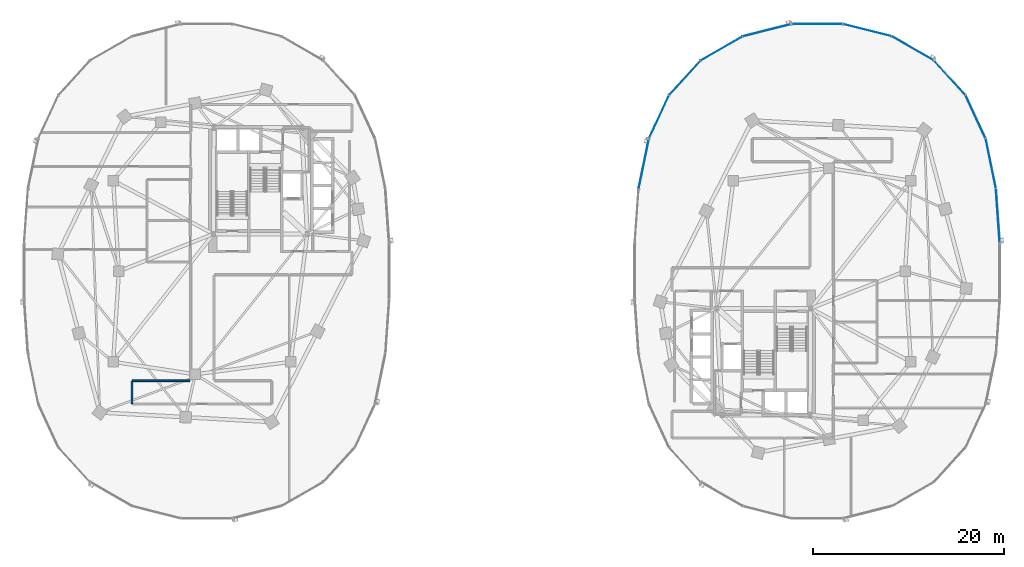
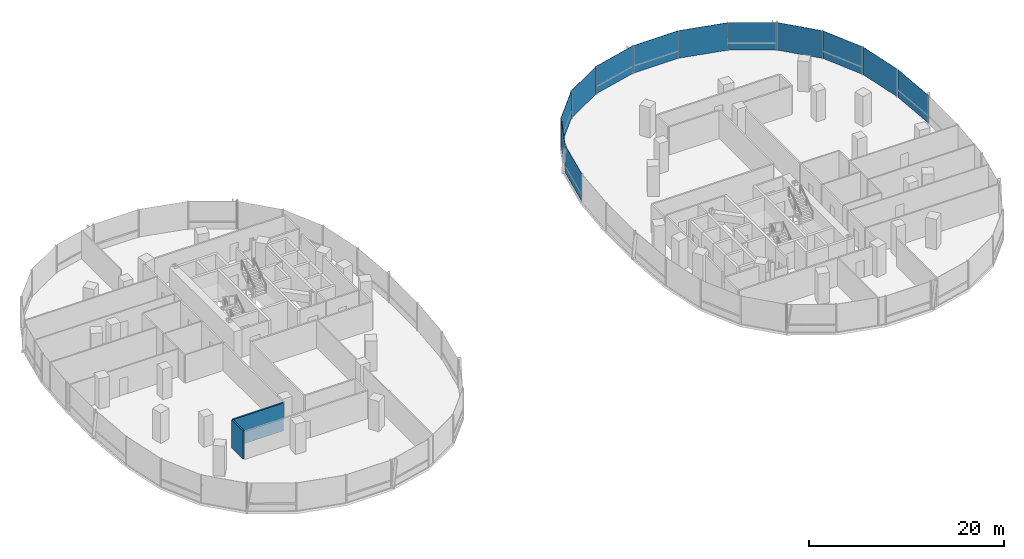
# One storey, part 10 of 21: 12 plates, 2 walls, 2 elements without a shape of their own.
"""IFC4 building model written with IfcOpenShell, lengths in metres."""

import ifcopenshell
import ifcopenshell.guid

model = None  # the IFC model being written
_history = None  # IfcOwnerHistory: only IFC2X3 demands one
_inside = {}  # id of a spatial element -> (the spatial element, [elements in it])
_under = {}  # id of a project, library or spatial element -> (it, [spatial elements below it])
_declared = {}  # id of a project -> (the project, [libraries it declares])
_typed = {}  # id of a type object -> (the type object, [elements of that type])
_made_of = {}  # id of a material, layer set ... -> (it, [elements and type objects made of it])


def new_model(schema):
    """Start an empty IFC model of exactly this schema.

    Asked for "IFC4X3", IfcOpenShell would pick the latest addendum, in which some entities
    have other attributes; the version numbers below select the first issue.
    IFC2X3 requires an IfcOwnerHistory on every rooted entity: one is made here for all.
    """
    global model, _history
    if schema == "IFC4X3":
        model = ifcopenshell.file(schema_version=(4, 3, 0, 0))
    else:
        model = ifcopenshell.file(schema=schema)
    _inside.clear()
    _under.clear()
    _declared.clear()
    _typed.clear()
    _made_of.clear()
    _history = None
    if model.schema == "IFC2X3":
        org = make("IfcOrganization", Name="unknown")
        user = make(
            "IfcPersonAndOrganization",
            ThePerson=make("IfcPerson", FamilyName="unknown"),
            TheOrganization=org,
        )
        app = make(
            "IfcApplication",
            ApplicationDeveloper=org,
            Version="unknown",
            ApplicationFullName="unknown",
            ApplicationIdentifier="unknown",
        )
        _history = make(
            "IfcOwnerHistory",
            OwningUser=user,
            OwningApplication=app,
            ChangeAction="ADDED",
            CreationDate=0,
        )
    return model


def make(cls, **values):
    """One entity of the class cls with the attributes given. An attribute that is None is left unset."""
    return model.create_entity(
        cls, **{name: value for name, value in values.items() if value is not None}
    )


def rooted(cls, **values):
    """An entity with a GlobalId (a new one), such as an element, a storey or a relation."""
    return make(cls, GlobalId=ifcopenshell.guid.new(), OwnerHistory=_history, **values)


def si_unit(unit_type, name, prefix=None):
    """IfcSIUnit, for example si_unit("LENGTHUNIT", "METRE", prefix="MILLI")."""
    return make("IfcSIUnit", UnitType=unit_type, Prefix=prefix, Name=name)


def assignment(units):
    """IfcUnitAssignment: the units of a project."""
    return None if units is None else make("IfcUnitAssignment", Units=units)


def point(xyz):
    """IfcCartesianPoint."""
    return None if xyz is None else make("IfcCartesianPoint", Coordinates=xyz)


def direction(xyz):
    """IfcDirection."""
    return None if xyz is None else make("IfcDirection", DirectionRatios=xyz)


def frame(location, z_axis=None, x_axis=None):
    """IfcAxis2Placement3D, a coordinate frame: its origin and axes. An axis left out is left unset."""
    return make(
        "IfcAxis2Placement3D",
        Location=point(location),
        Axis=direction(z_axis),
        RefDirection=direction(x_axis),
    )


def frame_2d(location, x_axis=None):
    """IfcAxis2Placement2D, a coordinate frame in the plane: its origin and x axis."""
    return make(
        "IfcAxis2Placement2D", Location=point(location), RefDirection=direction(x_axis)
    )


def origin():
    """The frame at (0, 0, 0) with its axes left unset."""
    return frame((0.0, 0.0, 0.0))


def origin_2d():
    """The frame at (0, 0) in the plane with its x axis left unset."""
    return frame_2d((0.0, 0.0))


def place(relative_to, where):
    """IfcLocalPlacement: puts the frame where relative to a parent placement (None: the world)."""
    return make(
        "IfcLocalPlacement", PlacementRelTo=relative_to, RelativePlacement=where
    )


def context(
    kind, dimensions, precision=None, world=None, true_north=None, identifier=None
):
    """IfcGeometricRepresentationContext, for example the 3D "Model" context."""
    return make(
        "IfcGeometricRepresentationContext",
        ContextIdentifier=identifier,
        ContextType=kind,
        CoordinateSpaceDimension=dimensions,
        Precision=precision,
        WorldCoordinateSystem=world,
        TrueNorth=true_north,
    )


def subcontext(parent, identifier, kind, view, scale=None):
    """IfcGeometricRepresentationSubContext, for example "Body" below "Model"."""
    return make(
        "IfcGeometricRepresentationSubContext",
        ContextIdentifier=identifier,
        ContextType=kind,
        ParentContext=parent,
        TargetScale=scale,
        TargetView=view,
    )


def project(units=None, contexts=None):
    """IfcProject with its units and contexts."""
    return rooted(
        "IfcProject",
        Name="project",
        RepresentationContexts=contexts,
        UnitsInContext=assignment(units),
    )


def spatial(cls, under=None, at=None, **own):
    """A site, building, storey or space (cls), placed at a placement, below another one or the project."""
    s = rooted(cls, ObjectPlacement=at, **own)
    if under is not None:
        _under.setdefault(under.id(), (under, []))[1].append(s)
    return s


def profile(cls, at=None, kind="AREA", **sizes):
    """A parametric profile (cls). Its sizes go by their IFC names, for example OverallWidth=200.0."""
    return make(cls, ProfileType=kind, Position=at, **sizes)


def rectangle(**sizes):
    """IfcRectangleProfileDef."""
    return profile("IfcRectangleProfileDef", **sizes)


def extrude(swept, where, along, depth):
    """IfcExtrudedAreaSolid: the profile swept, set in the frame where, extruded along a direction by depth."""
    return make(
        "IfcExtrudedAreaSolid",
        SweptArea=swept,
        Position=where,
        ExtrudedDirection=direction(along),
        Depth=depth,
    )


def shape(context_of_items, identifier, shape_type, items):
    """IfcShapeRepresentation: the items that make up one representation, for example the "Body"."""
    return make(
        "IfcShapeRepresentation",
        ContextOfItems=context_of_items,
        RepresentationIdentifier=identifier,
        RepresentationType=shape_type,
        Items=items,
    )


def material(Name=None, Category=None):
    """IfcMaterial."""
    return make("IfcMaterial", Name=Name, Category=Category)


def layer(
    of_material, thickness, ventilated=None, Name=None, Category=None, Priority=None
):
    """IfcMaterialLayer: one layer of a wall or slab, of a material (None: an air gap)."""
    return make(
        "IfcMaterialLayer",
        Material=of_material,
        LayerThickness=thickness,
        IsVentilated=ventilated,
        Name=Name,
        Category=Category,
        Priority=Priority,
    )


def layer_set(layers, Name=None):
    """IfcMaterialLayerSet."""
    return make("IfcMaterialLayerSet", MaterialLayers=layers, LayerSetName=Name)


def made_of(thing, what):
    """Note that an element or type object is made of a material, layer set ...; save() writes the relation."""
    if what is not None:
        _made_of.setdefault(what.id(), (what, []))[1].append(thing)
    return thing


def type_object(cls, material=None, **own):
    """A type object (cls), such as IfcWallType, which elements share."""
    return made_of(rooted(cls, **own), material)


def element(
    cls,
    number,
    at=None,
    inside=None,
    cuts=None,
    type_object=None,
    material=None,
    context=None,
    identifier="Body",
    shape_type=None,
    held_by="IfcProductDefinitionShape",
    body=None,
    shapes=None,
    **own,
):
    """One element of the class cls, such as IfcWall. Its Tag is "e" and its number.

    at: its placement. inside: the storey or other place that contains it. cuts: it is an
    opening in that element (IfcRelVoidsElement). A single representation is given by context,
    identifier, shape_type and body (its items); several are given by shapes. held_by: the class
    of the entity that holds the representations. save() writes the other relations.
    """
    e = rooted(cls, Tag="e%d" % number, ObjectPlacement=at, **own)
    if body is not None:
        shapes = [shape(context, identifier, shape_type, body)]
    if shapes is not None:
        e.Representation = make(held_by, Representations=shapes)
    if inside is not None:
        _inside.setdefault(inside.id(), (inside, []))[1].append(e)
    if cuts is not None:
        rooted(
            "IfcRelVoidsElement", RelatingBuildingElement=cuts, RelatedOpeningElement=e
        )
    if type_object is not None:
        _typed.setdefault(type_object.id(), (type_object, []))[1].append(e)
    return made_of(e, material)


def aggregate(whole, parts):
    """IfcRelAggregates: a whole, such as a stair, and the parts it consists of."""
    return rooted("IfcRelAggregates", RelatingObject=whole, RelatedObjects=parts)


def save(model, path):
    """Write the relations noted so far, then the file.

    IfcRelAggregates (storeys below a building ...), IfcRelContainedInSpatialStructure (elements
    in a storey), IfcRelDefinesByType, IfcRelAssociatesMaterial and IfcRelDeclares: one each for
    every whole, place, type object, material and project.
    """
    for whole, parts in _under.values():
        aggregate(whole, parts)
    for where, things in _inside.values():
        rooted(
            "IfcRelContainedInSpatialStructure",
            RelatedElements=things,
            RelatingStructure=where,
        )
    for kind, things in _typed.values():
        rooted("IfcRelDefinesByType", RelatedObjects=things, RelatingType=kind)
    for what, things in _made_of.values():
        rooted("IfcRelAssociatesMaterial", RelatedObjects=things, RelatingMaterial=what)
    for by, libraries in _declared.values():
        rooted("IfcRelDeclares", RelatingContext=by, RelatedDefinitions=libraries)
    model.write(path)


model = new_model("IFC4")

# Units and contexts
model_context = context("Model", 3, precision=1e-05, world=origin(), true_north=direction((0.0, 1.0)))
body_context = subcontext(model_context, "Body", "Model", "MODEL_VIEW")
ifc_project = project(units=[si_unit("LENGTHUNIT", "METRE"), si_unit("AREAUNIT", "SQUARE_METRE"), si_unit("VOLUMEUNIT", "CUBIC_METRE"), si_unit("PLANEANGLEUNIT", "RADIAN"), si_unit("MASSUNIT", "GRAM", prefix="KILO"), si_unit("THERMODYNAMICTEMPERATUREUNIT", "KELVIN"), si_unit("POWERUNIT", "WATT")], contexts=[model_context])

# Site, building, storey
site_placement = place(None, origin())
site = spatial("IfcSite", under=ifc_project, at=site_placement, CompositionType="ELEMENT")
building_placement = place(site_placement, origin())
building = spatial("IfcBuilding", under=site, at=building_placement, Name="Cundina Bronze Exchange", CompositionType="ELEMENT")
storey_placement = place(building_placement, frame((0.0, 0.0, 27.800048828125)))
storey = spatial("IfcBuildingStorey", under=building, at=storey_placement, Name="L06", CompositionType="ELEMENT", Elevation=27.800048828125)

# Curtain wall, plates
ifc_material_1 = material(Name="Anodised Bronze Aluminium 6063-T6", Category="aluminium")
curtain_wall_type = type_object("IfcCurtainWallType", Name="CWS-TRD-LOW", PredefinedType="NOTDEFINED", material=ifc_material_1)
curtain_wall_1_placement = place(storey_placement, origin())
curtain_wall_1 = element("IfcCurtainWall", 1, at=curtain_wall_1_placement, inside=storey, type_object=curtain_wall_type, Name="L06 CW-02 Curtain Wall Run CWR-L06-E1", PredefinedType="NOTDEFINED")
ifc_material_2 = material(Name="Heat-Strengthened Solar-Control Bronze Safety Glass 28mm", Category="glass")
ifc_layer_1 = layer(ifc_material_2, 0.028076171875, Name="Heat-Strengthened Solar-Control Bronze Safety Glass 28mm", Category="glass")
ifc_layer_set_1 = layer_set([ifc_layer_1], Name="Heat-Strengthened Solar-Control Bronze Safety Glass 28mm")
plate_type_1 = type_object("IfcPlateType", Name="PLT-GLZ-VIS28", PredefinedType="CURTAIN_PANEL", material=ifc_layer_set_1)
plate_1_placement = place(storey_placement, frame((50.9267578125, 5.783935546875, 0.02001953125), z_axis=(0.0, 0.0, 1.0), x_axis=(-0.070278787473, 0.997527389113, 0.0)))
plate_1 = element("IfcPlate", 2, at=plate_1_placement, type_object=plate_type_1, Name="CW-02 Glazed Panel 1", PredefinedType="CURTAIN_PANEL", context=body_context, shape_type="SweptSolid", body=[
    extrude(rectangle(XDim=5.644287109375, YDim=0.028076171875, at=origin_2d()), origin(), (0.0, 0.0, 1.0), 3.4599609375),
])
plate_2_placement = place(storey_placement, frame((50.18408203125, 11.269775390625, 0.02001953125), z_axis=(0.0, 0.0, 1.0), x_axis=(-0.201419845156, 0.979505000486, 0.0)))
plate_2 = element("IfcPlate", 3, at=plate_2_placement, type_object=plate_type_1, Name="CW-02 Glazed Panel 2", PredefinedType="CURTAIN_PANEL", context=body_context, shape_type="SweptSolid", body=[
    extrude(rectangle(XDim=5.306640625, YDim=0.028076171875, at=origin_2d()), origin(), (0.0, 0.0, 1.0), 3.4599609375),
])
plate_3_placement = place(storey_placement, frame((48.586181640625, 16.177734375, 0.02001953125), z_axis=(0.0, 0.0, 1.0), x_axis=(-0.42084583328, 0.907132175932, 0.0)))
plate_3 = element("IfcPlate", 4, at=plate_3_placement, type_object=plate_type_1, Name="CW-02 Glazed Panel 3", PredefinedType="CURTAIN_PANEL", context=body_context, shape_type="SweptSolid", body=[
    extrude(rectangle(XDim=4.966552734375, YDim=0.028076171875, at=origin_2d()), origin(), (0.0, 0.0, 1.0), 3.4599609375),
])
plate_4_placement = place(storey_placement, frame((42.019287109375, 23.34423828125, 0.02001953125), z_axis=(0.0, 0.0, 1.0), x_axis=(-0.867105478933, 0.498124571171, 0.0)))
plate_4 = element("IfcPlate", 5, at=plate_4_placement, type_object=plate_type_1, Name="CW-02 Glazed Panel 5", PredefinedType="CURTAIN_PANEL", context=body_context, shape_type="SweptSolid", body=[
    extrude(rectangle(XDim=5.021240234375, YDim=0.028076171875, at=origin_2d()), origin(), (0.0, 0.0, 1.0), 3.4599609375),
])
plate_5_placement = place(storey_placement, frame((37.255615234375, 25.256591796875, 0.02001953125), z_axis=(0.0, 0.0, 1.0), x_axis=(-0.969488149345, 0.245138182011, 0.0)))
plate_5 = element("IfcPlate", 6, at=plate_5_placement, type_object=plate_type_1, Name="CW-02 Glazed Panel 6", PredefinedType="CURTAIN_PANEL", context=body_context, shape_type="SweptSolid", body=[
    extrude(rectangle(XDim=5.2333984375, YDim=0.028076171875, at=origin_2d()), origin(), (0.0, 0.0, 1.0), 3.4599609375),
])
plate_6_placement = place(storey_placement, frame((32.0, 25.905029296875, 0.02001953125), z_axis=(0.0, 0.0, 1.0), x_axis=(-1.0, 0.0, 0.0)))
plate_6 = element("IfcPlate", 7, at=plate_6_placement, type_object=plate_type_1, Name="CW-02 Glazed Panel 7", PredefinedType="CURTAIN_PANEL", context=body_context, shape_type="SweptSolid", body=[
    extrude(rectangle(XDim=5.323974609375, YDim=0.028076171875, at=origin_2d()), origin(), (0.0, 0.0, 1.0), 3.4599609375),
])

curtain_wall_2_placement = place(storey_placement, origin())
curtain_wall_2 = element("IfcCurtainWall", 8, at=curtain_wall_2_placement, inside=storey, type_object=curtain_wall_type, Name="L06 CW-02 Curtain Wall Run CWR-L06-E2", PredefinedType="NOTDEFINED")
plate_7_placement = place(storey_placement, frame((26.744384765625, 25.256591796875, 0.02001953125), z_axis=(0.0, 0.0, 1.0), x_axis=(-0.969488149345, -0.245138182011, 0.0)))
plate_7 = element("IfcPlate", 9, at=plate_7_placement, type_object=plate_type_1, Name="CW-02 Glazed Panel 1", PredefinedType="CURTAIN_PANEL", context=body_context, shape_type="SweptSolid", body=[
    extrude(rectangle(XDim=5.2333984375, YDim=0.028076171875, at=origin_2d()), origin(), (0.0, 0.0, 1.0), 3.4599609375),
])
plate_8_placement = place(storey_placement, frame((21.980712890625, 23.34423828125, 0.02001953125), z_axis=(0.0, 0.0, 1.0), x_axis=(-0.867105478933, -0.498124571171, 0.0)))
plate_8 = element("IfcPlate", 10, at=plate_8_placement, type_object=plate_type_1, Name="CW-02 Glazed Panel 2", PredefinedType="CURTAIN_PANEL", context=body_context, shape_type="SweptSolid", body=[
    extrude(rectangle(XDim=5.021240234375, YDim=0.028076171875, at=origin_2d()), origin(), (0.0, 0.0, 1.0), 3.4599609375),
])
plate_9_placement = place(storey_placement, frame((15.413818359375, 16.177734375, 0.02001953125), z_axis=(0.0, 0.0, 1.0), x_axis=(-0.42084583328, -0.907132175932, 0.0)))
plate_9 = element("IfcPlate", 11, at=plate_9_placement, type_object=plate_type_1, Name="CW-02 Glazed Panel 4", PredefinedType="CURTAIN_PANEL", context=body_context, shape_type="SweptSolid", body=[
    extrude(rectangle(XDim=4.966552734375, YDim=0.028076171875, at=origin_2d()), origin(), (0.0, 0.0, 1.0), 3.4599609375),
])
plate_10_placement = place(storey_placement, frame((13.81591796875, 11.269775390625, 0.02001953125), z_axis=(0.0, 0.0, 1.0), x_axis=(-0.201419845156, -0.979505000486, 0.0)))
plate_10 = element("IfcPlate", 12, at=plate_10_placement, type_object=plate_type_1, Name="CW-02 Glazed Panel 5", PredefinedType="CURTAIN_PANEL", context=body_context, shape_type="SweptSolid", body=[
    extrude(rectangle(XDim=5.306640625, YDim=0.028076171875, at=origin_2d()), origin(), (0.0, 0.0, 1.0), 3.4599609375),
])

# Plate
ifc_material_3 = material(Name="Dark Bronze Spandrel Glass Panel 32mm", Category="glass")
ifc_layer_2 = layer(ifc_material_3, 0.031982421875, Name="Dark Bronze Spandrel Glass Panel 32mm", Category="glass")
ifc_layer_set_2 = layer_set([ifc_layer_2], Name="Dark Bronze Spandrel Glass Panel 32mm")
plate_type_2 = type_object("IfcPlateType", Name="PLT-SPN-BRZ32", PredefinedType="CURTAIN_PANEL", material=ifc_layer_set_2)
plate_11_placement = place(storey_placement, frame((45.8740234375, 20.267333984375, 0.02001953125), z_axis=(0.0, 0.0, 1.0), x_axis=(-0.674276610219, 0.73847887777, 0.0)))
plate_11 = element("IfcPlate", 13, at=plate_11_placement, type_object=plate_type_2, Name="CW-02 Glazed Panel 4", PredefinedType="CURTAIN_PANEL", context=body_context, shape_type="SweptSolid", body=[
    extrude(rectangle(XDim=4.86328125, YDim=0.031982421875, at=origin_2d()), origin(), (0.0, 0.0, 1.0), 3.4599609375),
])

aggregate(curtain_wall_1, [plate_1, plate_2, plate_3, plate_11, plate_4, plate_5, plate_6])

plate_12_placement = place(storey_placement, frame((18.1259765625, 20.267333984375, 0.02001953125), z_axis=(0.0, 0.0, 1.0), x_axis=(-0.674276610219, -0.73847887777, 0.0)))
plate_12 = element("IfcPlate", 14, at=plate_12_placement, type_object=plate_type_2, Name="CW-02 Glazed Panel 3", PredefinedType="CURTAIN_PANEL", context=body_context, shape_type="SweptSolid", body=[
    extrude(rectangle(XDim=4.86328125, YDim=0.031982421875, at=origin_2d()), origin(), (0.0, 0.0, 1.0), 3.4599609375),
])

aggregate(curtain_wall_2, [plate_7, plate_8, plate_12, plate_9, plate_10])

# Walls
ifc_material_4 = material(Name="Gypsum Fireboard Partition EI120")
ifc_layer_3 = layer(ifc_material_4, 0.179931640625, Name="Gypsum Fireboard Partition EI120")
ifc_layer_set_3 = layer_set([ifc_layer_3], Name="Gypsum Fireboard Partition EI120")
wall_type = type_object("IfcWallType", Name="WL-COR-180", PredefinedType="PARTITIONING", material=ifc_layer_set_3)
wall_1_placement = place(storey_placement, frame((-33.75, -11.47998046875, 0.0), z_axis=(0.0, 0.0, 1.0), x_axis=(-1.0, 0.0, 0.0)))
element("IfcWall", 15, at=wall_1_placement, inside=storey, type_object=wall_type, Name="L06 Interior Partition 024", PredefinedType="PARTITIONING", context=body_context, shape_type="SweptSolid", body=[
    extrude(rectangle(XDim=6.028564453125, YDim=0.179931640625, at=frame_2d((3.01416015625, 0.0))), origin(), (0.0, 0.0, 1.0), 3.5),
])
wall_2_placement = place(storey_placement, frame((-39.820068359375, -11.521484375, 0.0), z_axis=(0.0, 0.0, 1.0), x_axis=(0.0, -1.0, 0.0)))
element("IfcWall", 16, at=wall_2_placement, inside=storey, type_object=wall_type, Name="L06 Interior Partition 026", PredefinedType="PARTITIONING", context=body_context, shape_type="SweptSolid", body=[
    extrude(rectangle(XDim=2.35693359375, YDim=0.179931640625, at=frame_2d((1.178466796875, 0.0))), origin(), (0.0, 0.0, 1.0), 3.5),
])

save(model, "model.ifc")
